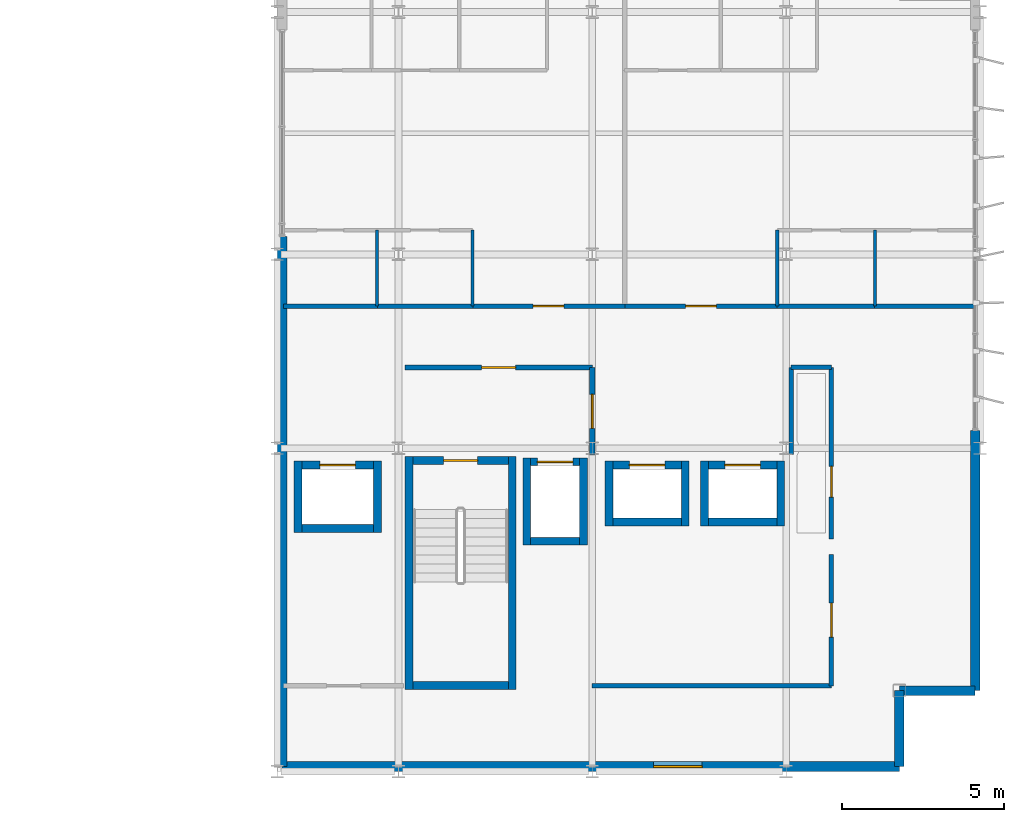
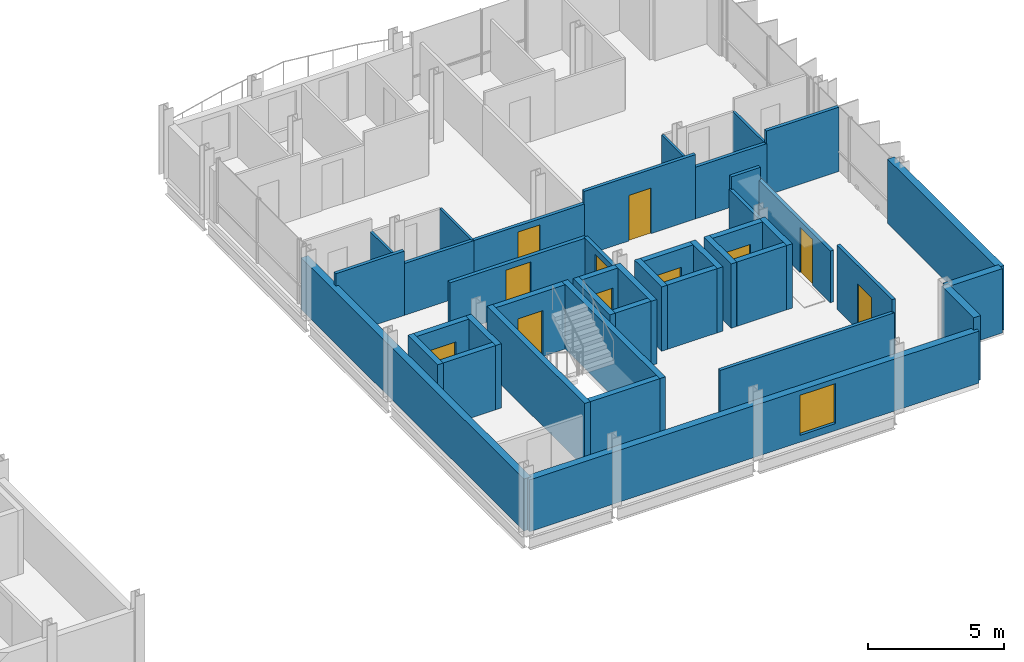
# One storey, part 23 of 28: 42 walls, 11 doors, 1 window, 12 openings.
"""IFC4 building model written with IfcOpenShell, lengths in metres."""

from ifc_helpers import new_model, si_unit, direction, frame, frame_2d, origin, place, context, subcontext, project, spatial, rectangle, extrude, material, layer, layer_set, type_object, element, fill, save


model = new_model("IFC4")

# Units and contexts
model_context = context("Model", 3, precision=1e-05, world=origin(), true_north=direction((0.0, 1.0)))
body_context = subcontext(model_context, "Body", "Model", "MODEL_VIEW")
ifc_project = project(units=[si_unit("LENGTHUNIT", "METRE"), si_unit("AREAUNIT", "SQUARE_METRE"), si_unit("VOLUMEUNIT", "CUBIC_METRE"), si_unit("PLANEANGLEUNIT", "RADIAN"), si_unit("MASSUNIT", "GRAM", prefix="KILO")], contexts=[model_context])

# Site, building, storey
site_placement = place(None, origin())
site = spatial("IfcSite", under=ifc_project, at=site_placement, CompositionType="ELEMENT")
building_placement = place(site_placement, origin())
building = spatial("IfcBuilding", under=site, at=building_placement, Name="Brevholm Reach", CompositionType="ELEMENT")
storey_placement = place(building_placement, frame((0.0, 0.0, 192.5)))
storey = spatial("IfcBuildingStorey", under=building, at=storey_placement, Name="L58", CompositionType="ELEMENT", Elevation=192.5)

# Walls
ifc_material_1 = material(Name="Concrete C45/55", Category="concrete")
ifc_layer_1 = layer(ifc_material_1, 0.239990234375)
ifc_layer_set_1 = layer_set([ifc_layer_1], Name="Concrete C45/55")
wall_type_1 = type_object("IfcWallType", Name="WAL-COR-240", PredefinedType="SHEAR", material=ifc_layer_set_1)
for number, where, z_axis, x_axis, name in (
    (1, (42.330078125, 2.5400390625, 0.0), (0.0, 0.0, 1.0), (0.0, 1.0, 0.0), "L58 Escape Stair ST-2 Core Wall W"),
    (2, (45.52001953125, 2.5400390625, 0.0), (0.0, 0.0, 1.0), (0.0, 1.0, 0.0), "L58 Escape Stair ST-2 Core Wall E"),
):
    element("IfcWall", number, at=place(storey_placement, frame(where, z_axis=z_axis, x_axis=x_axis)), inside=storey, type_object=wall_type_1, Name=name, PredefinedType="SHEAR", context=body_context, shape_type="SweptSolid", body=[
        extrude(rectangle(XDim=7.199951171875, YDim=0.239990234375, at=frame_2d((3.60009765625, 0.0))), origin(), (0.0, 0.0, 1.0), 2.889892578125),
    ])
wall_1_placement = place(storey_placement, frame((42.449951171875, 2.659912109375, 0.0), z_axis=(0.0, 0.0, 1.0), x_axis=(1.0, 0.0, 0.0)))
element("IfcWall", 3, at=wall_1_placement, inside=storey, type_object=wall_type_1, Name="L58 Escape Stair ST-2 Core Wall S", PredefinedType="SHEAR", context=body_context, shape_type="SweptSolid", body=[
    extrude(rectangle(XDim=2.949951171875, YDim=0.239990234375, at=frame_2d((1.47509765625, 0.0))), origin(), (0.0, 0.0, 1.0), 2.889892578125),
])

# Wall, opening, door
wall_2_placement = place(storey_placement, frame((45.39990234375, 9.6201171875, 0.0), z_axis=(0.0, 0.0, 1.0), x_axis=(-1.0, 0.0, 0.0)))
wall_2 = element("IfcWall", 4, at=wall_2_placement, inside=storey, type_object=wall_type_1, Name="L58 Escape Stair ST-2 Core Wall N", PredefinedType="SHEAR", context=body_context, shape_type="SweptSolid", body=[
    extrude(rectangle(XDim=2.949951171875, YDim=0.239990234375, at=frame_2d((1.47509765625, 0.0))), origin(), (0.0, 0.0, 1.0), 2.889892578125),
])
opening_1_placement = place(wall_2_placement, frame((0.949951171875, 0.0, 0.0)))
opening_1 = element("IfcOpeningElement", 5, at=opening_1_placement, cuts=wall_2, Name="Opening SD-ST-2", PredefinedType="OPENING", context=body_context, shape_type="SweptSolid", body=[
    extrude(rectangle(XDim=1.050048828125, YDim=2.06005859375, at=frame_2d((0.52490234375, 1.030029296875))), frame((0.0, 0.1298828125, 0.0), z_axis=(0.0, -1.0, 0.0), x_axis=(1.0, 0.0, 0.0)), (0.0, 0.0, 1.0), 0.260009765625),
])
ifc_material_2 = material(Name="Hardwood-Lipped Steel-Core Fire and Smoke Door", Category="steel")
door_type_1 = type_object("IfcDoorType", Name="DOR-INT-FD60S", OperationType="NOTDEFINED", PredefinedType="DOOR", material=ifc_material_2)
door_1_placement = place(opening_1_placement, origin())
door_1 = element("IfcDoor", 6, at=door_1_placement, inside=storey, type_object=door_type_1, Name="L58 Protected Stair ST-2 Lobby Door", OperationType="SINGLE_SWING_LEFT", OverallHeight=2.06005859375, OverallWidth=1.050048828125, PredefinedType="DOOR", context=body_context, shape_type="SweptSolid", body=[
    extrude(rectangle(XDim=1.050048828125, YDim=2.06005859375, at=frame_2d((0.52490234375, 1.030029296875))), frame((0.0, 0.02490234375, 0.0), z_axis=(0.0, -1.0, 0.0), x_axis=(1.0, 0.0, 0.0)), (0.0, 0.0, 1.0), 0.050048828125),
])
fill(opening_1, door_1)

# Walls
for number, where, z_axis, x_axis, name in (
    (7, (45.969970703125, 7.0, 0.0), (0.0, 0.0, 1.0), (0.0, 1.0, 0.0), "L58 Lift FFL-2 Shaft Wall W"),
    (8, (47.72998046875, 7.0, 0.0), (0.0, 0.0, 1.0), (0.0, 1.0, 0.0), "L58 Lift FFL-2 Shaft Wall E"),
):
    element("IfcWall", number, at=place(storey_placement, frame(where, z_axis=z_axis, x_axis=x_axis)), inside=storey, type_object=wall_type_1, Name=name, PredefinedType="SHEAR", context=body_context, shape_type="SweptSolid", body=[
        extrude(rectangle(XDim=2.699951171875, YDim=0.239990234375, at=frame_2d((1.35009765625, 0.0))), origin(), (0.0, 0.0, 1.0), 2.889892578125),
    ])
wall_3_placement = place(storey_placement, frame((46.090087890625, 7.1201171875, 0.0), z_axis=(0.0, 0.0, 1.0), x_axis=(1.0, 0.0, 0.0)))
element("IfcWall", 9, at=wall_3_placement, inside=storey, type_object=wall_type_1, Name="L58 Lift FFL-2 Shaft Wall S", PredefinedType="SHEAR", context=body_context, shape_type="SweptSolid", body=[
    extrude(rectangle(XDim=1.52001953125, YDim=0.239990234375, at=frame_2d((0.760009765625, 0.0))), origin(), (0.0, 0.0, 1.0), 2.889892578125),
])

# Wall, opening, door
wall_4_placement = place(storey_placement, frame((46.090087890625, 9.580078125, 0.0), z_axis=(0.0, 0.0, 1.0), x_axis=(1.0, 0.0, 0.0)))
wall_4 = element("IfcWall", 10, at=wall_4_placement, inside=storey, type_object=wall_type_1, Name="L58 Lift FFL-2 Shaft Wall N", PredefinedType="SHEAR", context=body_context, shape_type="SweptSolid", body=[
    extrude(rectangle(XDim=1.52001953125, YDim=0.239990234375, at=frame_2d((0.760009765625, 0.0))), origin(), (0.0, 0.0, 1.0), 2.889892578125),
])
opening_2_placement = place(wall_4_placement, frame((0.2099609375, 0.0, 0.0)))
opening_2 = element("IfcOpeningElement", 11, at=opening_2_placement, cuts=wall_4, Name="Opening LD-FFL-2", PredefinedType="OPENING", context=body_context, shape_type="SweptSolid", body=[
    extrude(rectangle(XDim=1.10009765625, YDim=2.06005859375, at=frame_2d((0.550048828125, 1.030029296875))), frame((0.0, 0.1298828125, 0.0), z_axis=(0.0, -1.0, 0.0), x_axis=(1.0, 0.0, 0.0)), (0.0, 0.0, 1.0), 0.260009765625),
])
ifc_material_3 = material(Name="Brushed Stainless Steel Fire-Rated Sliding Lift Door", Category="steel")
door_type_2 = type_object("IfcDoorType", Name="DOR-LFT-1100", OperationType="NOTDEFINED", PredefinedType="DOOR", material=ifc_material_3)
door_2_placement = place(opening_2_placement, origin())
door_2 = element("IfcDoor", 12, at=door_2_placement, inside=storey, type_object=door_type_2, Name="L58 Lift FFL-2 Sliding Landing Door", OperationType="SLIDING_TO_LEFT", OverallHeight=2.06005859375, OverallWidth=1.10009765625, PredefinedType="DOOR", context=body_context, shape_type="SweptSolid", body=[
    extrude(rectangle(XDim=1.10009765625, YDim=2.06005859375, at=frame_2d((0.550048828125, 1.030029296875))), frame((0.0, 0.02490234375, 0.0), z_axis=(0.0, -1.0, 0.0), x_axis=(1.0, 0.0, 0.0)), (0.0, 0.0, 1.0), 0.050048828125),
])
fill(opening_2, door_2)

# Walls
for number, where, z_axis, x_axis, name in (
    (13, (38.889892578125, 7.39990234375, 0.0), (0.0, 0.0, 1.0), (0.0, 1.0, 0.0), "L58 Lift PL-S1 Shaft Wall W"),
    (14, (41.35009765625, 7.39990234375, 0.0), (0.0, 0.0, 1.0), (0.0, 1.0, 0.0), "L58 Lift PL-S1 Shaft Wall E"),
):
    element("IfcWall", number, at=place(storey_placement, frame(where, z_axis=z_axis, x_axis=x_axis)), inside=storey, type_object=wall_type_1, Name=name, PredefinedType="SHEAR", context=body_context, shape_type="SweptSolid", body=[
        extrude(rectangle(XDim=2.2001953125, YDim=0.239990234375, at=frame_2d((1.10009765625, 0.0))), origin(), (0.0, 0.0, 1.0), 2.889892578125),
    ])
wall_5_placement = place(storey_placement, frame((39.010009765625, 7.52001953125, 0.0), z_axis=(0.0, 0.0, 1.0), x_axis=(1.0, 0.0, 0.0)))
element("IfcWall", 15, at=wall_5_placement, inside=storey, type_object=wall_type_1, Name="L58 Lift PL-S1 Shaft Wall S", PredefinedType="SHEAR", context=body_context, shape_type="SweptSolid", body=[
    extrude(rectangle(XDim=2.219970703125, YDim=0.239990234375, at=frame_2d((1.10986328125, 0.0))), origin(), (0.0, 0.0, 1.0), 2.889892578125),
])

# Wall, opening, door
wall_6_placement = place(storey_placement, frame((39.010009765625, 9.47998046875, 0.0), z_axis=(0.0, 0.0, 1.0), x_axis=(1.0, 0.0, 0.0)))
wall_6 = element("IfcWall", 16, at=wall_6_placement, inside=storey, type_object=wall_type_1, Name="L58 Lift PL-S1 Shaft Wall N", PredefinedType="SHEAR", context=body_context, shape_type="SweptSolid", body=[
    extrude(rectangle(XDim=2.219970703125, YDim=0.239990234375, at=frame_2d((1.10986328125, 0.0))), origin(), (0.0, 0.0, 1.0), 2.889892578125),
])
opening_3_placement = place(wall_6_placement, frame((0.56005859375, 0.0, 0.0)))
opening_3 = element("IfcOpeningElement", 17, at=opening_3_placement, cuts=wall_6, Name="Opening LD-PL-S1", PredefinedType="OPENING", context=body_context, shape_type="SweptSolid", body=[
    extrude(rectangle(XDim=1.10009765625, YDim=2.06005859375, at=frame_2d((0.550048828125, 1.030029296875))), frame((0.0, 0.1298828125, 0.0), z_axis=(0.0, -1.0, 0.0), x_axis=(1.0, 0.0, 0.0)), (0.0, 0.0, 1.0), 0.260009765625),
])
door_3_placement = place(opening_3_placement, origin())
door_3 = element("IfcDoor", 18, at=door_3_placement, inside=storey, type_object=door_type_2, Name="L58 Lift PL-S1 Sliding Landing Door", OperationType="SLIDING_TO_RIGHT", OverallHeight=2.06005859375, OverallWidth=1.10009765625, PredefinedType="DOOR", context=body_context, shape_type="SweptSolid", body=[
    extrude(rectangle(XDim=1.10009765625, YDim=2.06005859375, at=frame_2d((0.550048828125, 1.030029296875))), frame((0.0, 0.02490234375, 0.0), z_axis=(0.0, -1.0, 0.0), x_axis=(1.0, 0.0, 0.0)), (0.0, 0.0, 1.0), 0.050048828125),
])
fill(opening_3, door_3)

# Walls
for number, where, z_axis, x_axis, name in (
    (19, (48.52001953125, 7.60009765625, 0.0), (0.0, 0.0, 1.0), (0.0, 1.0, 0.0), "L58 Lift PL-H1 Shaft Wall W"),
    (20, (50.8798828125, 7.60009765625, 0.0), (0.0, 0.0, 1.0), (0.0, 1.0, 0.0), "L58 Lift PL-H1 Shaft Wall E"),
):
    element("IfcWall", number, at=place(storey_placement, frame(where, z_axis=z_axis, x_axis=x_axis)), inside=storey, type_object=wall_type_1, Name=name, PredefinedType="SHEAR", context=body_context, shape_type="SweptSolid", body=[
        extrude(rectangle(XDim=2.0, YDim=0.239990234375, at=frame_2d((1.0, 0.0))), origin(), (0.0, 0.0, 1.0), 2.889892578125),
    ])
wall_7_placement = place(storey_placement, frame((48.639892578125, 7.719970703125, 0.0), z_axis=(0.0, 0.0, 1.0), x_axis=(1.0, 0.0, 0.0)))
element("IfcWall", 21, at=wall_7_placement, inside=storey, type_object=wall_type_1, Name="L58 Lift PL-H1 Shaft Wall S", PredefinedType="SHEAR", context=body_context, shape_type="SweptSolid", body=[
    extrude(rectangle(XDim=2.1201171875, YDim=0.239990234375, at=frame_2d((1.06005859375, 0.0))), origin(), (0.0, 0.0, 1.0), 2.889892578125),
])

# Wall, opening, door
wall_8_placement = place(storey_placement, frame((48.639892578125, 9.47998046875, 0.0), z_axis=(0.0, 0.0, 1.0), x_axis=(1.0, 0.0, 0.0)))
wall_8 = element("IfcWall", 22, at=wall_8_placement, inside=storey, type_object=wall_type_1, Name="L58 Lift PL-H1 Shaft Wall N", PredefinedType="SHEAR", context=body_context, shape_type="SweptSolid", body=[
    extrude(rectangle(XDim=2.1201171875, YDim=0.239990234375, at=frame_2d((1.06005859375, 0.0))), origin(), (0.0, 0.0, 1.0), 2.889892578125),
])
opening_4_placement = place(wall_8_placement, frame((0.510009765625, 0.0, 0.0)))
opening_4 = element("IfcOpeningElement", 23, at=opening_4_placement, cuts=wall_8, Name="Opening LD-PL-H1", PredefinedType="OPENING", context=body_context, shape_type="SweptSolid", body=[
    extrude(rectangle(XDim=1.10009765625, YDim=2.06005859375, at=frame_2d((0.550048828125, 1.030029296875))), frame((0.0, 0.1298828125, 0.0), z_axis=(0.0, -1.0, 0.0), x_axis=(1.0, 0.0, 0.0)), (0.0, 0.0, 1.0), 0.260009765625),
])
door_4_placement = place(opening_4_placement, origin())
door_4 = element("IfcDoor", 24, at=door_4_placement, inside=storey, type_object=door_type_2, Name="L58 Lift PL-H1 Sliding Landing Door", OperationType="SLIDING_TO_LEFT", OverallHeight=2.06005859375, OverallWidth=1.10009765625, PredefinedType="DOOR", context=body_context, shape_type="SweptSolid", body=[
    extrude(rectangle(XDim=1.10009765625, YDim=2.06005859375, at=frame_2d((0.550048828125, 1.030029296875))), frame((0.0, 0.02490234375, 0.0), z_axis=(0.0, -1.0, 0.0), x_axis=(1.0, 0.0, 0.0)), (0.0, 0.0, 1.0), 0.050048828125),
])
fill(opening_4, door_4)

# Walls
for number, where, z_axis, x_axis, name in (
    (25, (51.469970703125, 7.60009765625, 0.0), (0.0, 0.0, 1.0), (0.0, 1.0, 0.0), "L58 Lift PL-H2 Shaft Wall W"),
    (26, (53.830078125, 7.60009765625, 0.0), (0.0, 0.0, 1.0), (0.0, 1.0, 0.0), "L58 Lift PL-H2 Shaft Wall E"),
):
    element("IfcWall", number, at=place(storey_placement, frame(where, z_axis=z_axis, x_axis=x_axis)), inside=storey, type_object=wall_type_1, Name=name, PredefinedType="SHEAR", context=body_context, shape_type="SweptSolid", body=[
        extrude(rectangle(XDim=2.0, YDim=0.239990234375, at=frame_2d((1.0, 0.0))), origin(), (0.0, 0.0, 1.0), 2.889892578125),
    ])
wall_9_placement = place(storey_placement, frame((51.590087890625, 7.719970703125, 0.0), z_axis=(0.0, 0.0, 1.0), x_axis=(1.0, 0.0, 0.0)))
element("IfcWall", 27, at=wall_9_placement, inside=storey, type_object=wall_type_1, Name="L58 Lift PL-H2 Shaft Wall S", PredefinedType="SHEAR", context=body_context, shape_type="SweptSolid", body=[
    extrude(rectangle(XDim=2.119873046875, YDim=0.239990234375, at=frame_2d((1.06005859375, 0.0))), origin(), (0.0, 0.0, 1.0), 2.889892578125),
])

# Wall, opening, door
wall_10_placement = place(storey_placement, frame((51.590087890625, 9.47998046875, 0.0), z_axis=(0.0, 0.0, 1.0), x_axis=(1.0, 0.0, 0.0)))
wall_10 = element("IfcWall", 28, at=wall_10_placement, inside=storey, type_object=wall_type_1, Name="L58 Lift PL-H2 Shaft Wall N", PredefinedType="SHEAR", context=body_context, shape_type="SweptSolid", body=[
    extrude(rectangle(XDim=2.119873046875, YDim=0.239990234375, at=frame_2d((1.06005859375, 0.0))), origin(), (0.0, 0.0, 1.0), 2.889892578125),
])
opening_5_placement = place(wall_10_placement, frame((0.510009765625, 0.0, 0.0)))
opening_5 = element("IfcOpeningElement", 29, at=opening_5_placement, cuts=wall_10, Name="Opening LD-PL-H2", PredefinedType="OPENING", context=body_context, shape_type="SweptSolid", body=[
    extrude(rectangle(XDim=1.10009765625, YDim=2.06005859375, at=frame_2d((0.550048828125, 1.030029296875))), frame((0.0, 0.1298828125, 0.0), z_axis=(0.0, -1.0, 0.0), x_axis=(1.0, 0.0, 0.0)), (0.0, 0.0, 1.0), 0.260009765625),
])
door_5_placement = place(opening_5_placement, origin())
door_5 = element("IfcDoor", 30, at=door_5_placement, inside=storey, type_object=door_type_2, Name="L58 Lift PL-H2 Sliding Landing Door", OperationType="SLIDING_TO_RIGHT", OverallHeight=2.06005859375, OverallWidth=1.10009765625, PredefinedType="DOOR", context=body_context, shape_type="SweptSolid", body=[
    extrude(rectangle(XDim=1.10009765625, YDim=2.06005859375, at=frame_2d((0.550048828125, 1.030029296875))), frame((0.0, 0.02490234375, 0.0), z_axis=(0.0, -1.0, 0.0), x_axis=(1.0, 0.0, 0.0)), (0.0, 0.0, 1.0), 0.050048828125),
])
fill(opening_5, door_5)

# Walls
ifc_material_4 = material(Name="Concrete C40/50", Category="concrete")
ifc_layer_2 = layer(ifc_material_4, 0.300048828125)
ifc_layer_set_2 = layer_set([ifc_layer_2], Name="Concrete C40/50")
wall_type_2 = type_object("IfcWallType", Name="WAL-EXT-300", PredefinedType="STANDARD", material=ifc_layer_set_2)
for number, where, z_axis, x_axis, name in (
    (31, (57.5, 0.14990234375, 0.0), (0.0, 0.0, 1.0), (0.0, 1.0, 0.0), "L58 Facade Wall WAL-L58-EW-CSE1"),
    (32, (57.5, 2.5, 0.0), (0.0, 0.0, 1.0), (1.0, 0.0, 0.0), "L58 Facade Wall WAL-L58-EW-CSE2"),
):
    element("IfcWall", number, at=place(storey_placement, frame(where, z_axis=z_axis, x_axis=x_axis)), inside=storey, type_object=wall_type_2, Name=name, PredefinedType="STANDARD", context=body_context, shape_type="SweptSolid", body=[
        extrude(rectangle(XDim=2.35009765625, YDim=0.300048828125, at=frame_2d((1.175048828125, 0.0))), origin(), (0.0, 0.0, 1.0), 2.889892578125),
    ])
wall_11_placement = place(storey_placement, frame((38.39990234375, 16.550048828125, 0.0), z_axis=(0.0, 0.0, 1.0), x_axis=(0.0, -1.0, 0.0)))
element("IfcWall", 33, at=wall_11_placement, inside=storey, type_object=wall_type_2, Name="L58 Facade Wall WAL-L58-VP-ES", PredefinedType="STANDARD", context=body_context, shape_type="SweptSolid", body=[
    extrude(rectangle(XDim=16.400146484375, YDim=0.300048828125, at=frame_2d((8.2001953125, 0.0))), origin(), (0.0, 0.0, 1.0), 2.331787109375),
])

# Wall, opening, window
wall_12_placement = place(storey_placement, frame((38.39990234375, 0.14990234375, 0.0), z_axis=(0.0, 0.0, 1.0), x_axis=(1.0, 0.0, 0.0)))
wall_12 = element("IfcWall", 34, at=wall_12_placement, inside=storey, type_object=wall_type_2, Name="L58 Facade Wall WAL-L58-EW-S", PredefinedType="STANDARD", context=body_context, shape_type="SweptSolid", body=[
    extrude(rectangle(XDim=19.10009765625, YDim=0.300048828125, at=frame_2d((9.550048828125, 0.0))), origin(), (0.0, 0.0, 1.0), 2.331787109375),
])
opening_6_placement = place(wall_12_placement, frame((11.5, 0.0, 0.31201171875)))
opening_6 = element("IfcOpeningElement", 35, at=opening_6_placement, cuts=wall_12, Name="Opening WN-05", PredefinedType="OPENING", context=body_context, shape_type="SweptSolid", body=[
    extrude(rectangle(XDim=1.5, YDim=1.800048828125, at=frame_2d((0.75, 0.89990234375))), frame((0.0, 0.159912109375, 0.0), z_axis=(0.0, -1.0, 0.0), x_axis=(1.0, 0.0, 0.0)), (0.0, 0.0, 1.0), 0.320068359375),
])
ifc_material_5 = material(Name="Dark Anodised Aluminium and Solar-Control IGU Glass", Category="aluminium")
window_type = type_object("IfcWindowType", Name="WIN-RES-1500", PartitioningType="SINGLE_PANEL", PredefinedType="WINDOW", material=ifc_material_5)
window_placement = place(opening_6_placement, origin())
window = element("IfcWindow", 36, at=window_placement, inside=storey, type_object=window_type, Name="L58 Window WIN-L58-EWS-1", OverallHeight=1.800048828125, OverallWidth=1.5, PartitioningType="SINGLE_PANEL", PredefinedType="WINDOW", context=body_context, shape_type="SweptSolid", body=[
    extrude(rectangle(XDim=1.5, YDim=1.800048828125, at=frame_2d((0.75, 0.89990234375))), frame((0.0, 0.030029296875, 0.0), z_axis=(0.0, -1.0, 0.0), x_axis=(1.0, 0.0, 0.0)), (0.0, 0.0, 1.0), 0.06005859375),
])
fill(opening_6, window)

# Walls
wall_13_placement = place(storey_placement, frame((59.85009765625, 2.5, 0.0), z_axis=(0.0, 0.0, 1.0), x_axis=(0.0, 1.0, 0.0)))
element("IfcWall", 37, at=wall_13_placement, inside=storey, type_object=wall_type_2, Name="L58 Facade Wall WAL-L58-EW-ES", PredefinedType="STANDARD", context=body_context, shape_type="SweptSolid", body=[
    extrude(rectangle(XDim=8.050048828125, YDim=0.300048828125, at=frame_2d((4.02490234375, 0.0))), origin(), (0.0, 0.0, 1.0), 2.889892578125),
])
ifc_material_6 = material(Name="Moisture-Resistant Acoustic Gypsum Stud Partition 100 mm", Category="gypsum")
ifc_layer_3 = layer(ifc_material_6, 0.10009765625)
ifc_layer_set_3 = layer_set([ifc_layer_3], Name="Moisture-Resistant Acoustic Gypsum Stud Partition 100 mm")
wall_type_3 = type_object("IfcWallType", Name="WAL-PRT-100", PredefinedType="PARTITIONING", material=ifc_layer_set_3)
for number, where, z_axis, x_axis, name in (
    (38, (41.337890625, 14.404052734375, 0.0), (0.0, 0.0, 1.0), (0.0, 1.0, 0.0), "L58 Internal Partition 066"),
    (39, (44.2919921875, 14.404052734375, 0.0), (0.0, 0.0, 1.0), (0.0, 1.0, 0.0), "L58 Internal Partition 068"),
    (40, (56.75, 14.404052734375, 0.0), (0.0, 0.0, 1.0), (0.0, 1.0, 0.0), "L58 Internal Partition 078"),
    (41, (53.72607421875, 14.404052734375, 0.0), (0.0, 0.0, 1.0), (0.0, 1.0, 0.0), "L58 Internal Partition 081"),
):
    element("IfcWall", number, at=place(storey_placement, frame(where, z_axis=z_axis, x_axis=x_axis)), inside=storey, type_object=wall_type_3, Name=name, PredefinedType="PARTITIONING", context=body_context, shape_type="SweptSolid", body=[
        extrude(rectangle(XDim=2.345947265625, YDim=0.10009765625, at=frame_2d((1.1728515625, 0.0))), origin(), (0.0, 0.0, 1.0), 2.325439453125),
    ])

# Wall, opening, door
ifc_material_7 = material(Name="Twin-Stud Acoustic Fire-Rated Gypsum Partition 140 mm", Category="gypsum")
ifc_layer_4 = layer(ifc_material_7, 0.139892578125)
ifc_layer_set_4 = layer_set([ifc_layer_4], Name="Twin-Stud Acoustic Fire-Rated Gypsum Partition 140 mm")
wall_type_4 = type_object("IfcWallType", Name="WAL-PRT-140", PredefinedType="PARTITIONING", material=ifc_layer_set_4)
wall_14_placement = place(storey_placement, frame((55.39990234375, 2.64990234375, 0.0), z_axis=(0.0, 0.0, 1.0), x_axis=(0.0, 1.0, 0.0)))
wall_14 = element("IfcWall", 42, at=wall_14_placement, inside=storey, type_object=wall_type_4, Name="L58 Internal Partition 005", PredefinedType="PARTITIONING", context=body_context, shape_type="SweptSolid", body=[
    extrude(rectangle(XDim=4.061279296875, YDim=0.139892578125, at=frame_2d((2.03076171875, 0.0))), origin(), (0.0, 0.0, 1.0), 2.889892578125),
])
opening_7_placement = place(wall_14_placement, frame((1.505615234375, 0.0, 0.0)))
opening_7 = element("IfcOpeningElement", 43, at=opening_7_placement, cuts=wall_14, Name="Opening FD-01", PredefinedType="OPENING", context=body_context, shape_type="SweptSolid", body=[
    extrude(rectangle(XDim=1.050048828125, YDim=2.06005859375, at=frame_2d((0.52490234375, 1.030029296875))), frame((0.0, 0.079833984375, 0.0), z_axis=(0.0, -1.0, 0.0), x_axis=(1.0, 0.0, 0.0)), (0.0, 0.0, 1.0), 0.159912109375),
])
door_6_placement = place(opening_7_placement, origin())
door_6 = element("IfcDoor", 44, at=door_6_placement, inside=storey, type_object=door_type_1, Name="L58 Internal Door 003", OperationType="SINGLE_SWING_RIGHT", OverallHeight=2.06005859375, OverallWidth=1.050048828125, PredefinedType="DOOR", context=body_context, shape_type="SweptSolid", body=[
    extrude(rectangle(XDim=1.050048828125, YDim=2.06005859375, at=frame_2d((0.52490234375, 1.030029296875))), frame((0.0, 0.02490234375, 0.0), z_axis=(0.0, -1.0, 0.0), x_axis=(1.0, 0.0, 0.0)), (0.0, 0.0, 1.0), 0.050048828125),
])
fill(opening_7, door_6)

wall_15_placement = place(storey_placement, frame((55.39990234375, 7.188720703125, 0.0), z_axis=(0.0, 0.0, 1.0), x_axis=(0.0, 1.0, 0.0)))
wall_15 = element("IfcWall", 45, at=wall_15_placement, inside=storey, type_object=wall_type_4, Name="L58 Internal Partition 006", PredefinedType="PARTITIONING", context=body_context, shape_type="SweptSolid", body=[
    extrude(rectangle(XDim=5.311279296875, YDim=0.139892578125, at=frame_2d((2.65576171875, 0.0))), origin(), (0.0, 0.0, 1.0), 2.325439453125),
])
opening_8_placement = place(wall_15_placement, frame((1.30078125, 0.0, 0.0)))
opening_8 = element("IfcOpeningElement", 46, at=opening_8_placement, cuts=wall_15, Name="Opening ID-30", PredefinedType="OPENING", context=body_context, shape_type="SweptSolid", body=[
    extrude(rectangle(XDim=0.949951171875, YDim=2.050048828125, at=frame_2d((0.47509765625, 1.02490234375))), frame((0.0, 0.079833984375, 0.0), z_axis=(0.0, -1.0, 0.0), x_axis=(1.0, 0.0, 0.0)), (0.0, 0.0, 1.0), 0.159912109375),
])
ifc_material_8 = material(Name="European Oak Veneered Solid-Core Fire Entrance Door", Category="timber")
door_type_3 = type_object("IfcDoorType", Name="DOR-FLT-FD30S", OperationType="NOTDEFINED", PredefinedType="DOOR", material=ifc_material_8)
door_7_placement = place(opening_8_placement, origin())
door_7 = element("IfcDoor", 47, at=door_7_placement, inside=storey, type_object=door_type_3, Name="L58 Internal Door 004", OperationType="SINGLE_SWING_LEFT", OverallHeight=2.050048828125, OverallWidth=0.949951171875, PredefinedType="DOOR", context=body_context, shape_type="SweptSolid", body=[
    extrude(rectangle(XDim=0.949951171875, YDim=2.050048828125, at=frame_2d((0.47509765625, 1.02490234375))), frame((0.0, 0.02490234375, 0.0), z_axis=(0.0, -1.0, 0.0), x_axis=(1.0, 0.0, 0.0)), (0.0, 0.0, 1.0), 0.050048828125),
])
fill(opening_8, door_7)

# Walls
wall_16_placement = place(storey_placement, frame((47.98876953125, 2.64990234375, 0.0), z_axis=(0.0, 0.0, 1.0), x_axis=(1.0, 0.0, 0.0)))
element("IfcWall", 48, at=wall_16_placement, inside=storey, type_object=wall_type_4, Name="L58 Internal Partition 008", PredefinedType="PARTITIONING", context=body_context, shape_type="SweptSolid", body=[
    extrude(rectangle(XDim=7.4072265625, YDim=0.139892578125, at=frame_2d((3.70361328125, 0.0))), origin(), (0.0, 0.0, 1.0), 2.325439453125),
])
wall_17_placement = place(storey_placement, frame((54.14990234375, 9.800048828125, 0.0), z_axis=(0.0, 0.0, 1.0), x_axis=(0.0, 1.0, 0.0)))
element("IfcWall", 49, at=wall_17_placement, inside=storey, type_object=wall_type_4, Name="L58 Internal Partition 028", PredefinedType="PARTITIONING", context=body_context, shape_type="SweptSolid", body=[
    extrude(rectangle(XDim=2.699951171875, YDim=0.139892578125, at=frame_2d((1.35009765625, 0.0))), origin(), (0.0, 0.0, 1.0), 2.325439453125),
])
wall_18_placement = place(storey_placement, frame((54.154052734375, 12.5, 0.0), z_axis=(0.0, 0.0, 1.0), x_axis=(1.0, 0.0, 0.0)))
element("IfcWall", 50, at=wall_18_placement, inside=storey, type_object=wall_type_4, Name="L58 Internal Partition 029", PredefinedType="PARTITIONING", context=body_context, shape_type="SweptSolid", body=[
    extrude(rectangle(XDim=1.241943359375, YDim=0.139892578125, at=frame_2d((0.62109375, 0.0))), origin(), (0.0, 0.0, 1.0), 2.889892578125),
])
wall_19_placement = place(storey_placement, frame((38.449951171875, 14.39990234375, 0.0), z_axis=(0.0, 0.0, 1.0), x_axis=(1.0, 0.0, 0.0)))
element("IfcWall", 51, at=wall_19_placement, inside=storey, type_object=wall_type_4, Name="L58 Internal Partition 030", PredefinedType="PARTITIONING", context=body_context, shape_type="SweptSolid", body=[
    extrude(rectangle(XDim=2.8994140625, YDim=0.139892578125, at=frame_2d((1.44970703125, 0.0))), origin(), (0.0, 0.0, 1.0), 2.889892578125),
])
wall_20_placement = place(storey_placement, frame((41.330810546875, 14.39990234375, 0.0), z_axis=(0.0, 0.0, 1.0), x_axis=(1.0, 0.0, 0.0)))
element("IfcWall", 52, at=wall_20_placement, inside=storey, type_object=wall_type_4, Name="L58 Internal Partition 031", PredefinedType="PARTITIONING", context=body_context, shape_type="SweptSolid", body=[
    extrude(rectangle(XDim=2.972412109375, YDim=0.139892578125, at=frame_2d((1.486328125, 0.0))), origin(), (0.0, 0.0, 1.0), 2.325439453125),
])

# Wall, opening, door
wall_21_placement = place(storey_placement, frame((44.28466796875, 14.39990234375, 0.0), z_axis=(0.0, 0.0, 1.0), x_axis=(1.0, 0.0, 0.0)))
wall_21 = element("IfcWall", 53, at=wall_21_placement, inside=storey, type_object=wall_type_4, Name="L58 Internal Partition 032", PredefinedType="PARTITIONING", context=body_context, shape_type="SweptSolid", body=[
    extrude(rectangle(XDim=4.7265625, YDim=0.139892578125, at=frame_2d((2.36328125, 0.0))), origin(), (0.0, 0.0, 1.0), 2.325439453125),
])
opening_9_placement = place(wall_21_placement, frame((1.88818359375, 0.0, 0.0)))
opening_9 = element("IfcOpeningElement", 54, at=opening_9_placement, cuts=wall_21, Name="Opening ID-30", PredefinedType="OPENING", context=body_context, shape_type="SweptSolid", body=[
    extrude(rectangle(XDim=0.949951171875, YDim=2.050048828125, at=frame_2d((0.47509765625, 1.02490234375))), frame((0.0, 0.079833984375, 0.0), z_axis=(0.0, -1.0, 0.0), x_axis=(1.0, 0.0, 0.0)), (0.0, 0.0, 1.0), 0.159912109375),
])
door_8_placement = place(opening_9_placement, origin())
door_8 = element("IfcDoor", 55, at=door_8_placement, inside=storey, type_object=door_type_3, Name="L58 Internal Door 012", OperationType="SINGLE_SWING_LEFT", OverallHeight=2.050048828125, OverallWidth=0.949951171875, PredefinedType="DOOR", context=body_context, shape_type="SweptSolid", body=[
    extrude(rectangle(XDim=0.949951171875, YDim=2.050048828125, at=frame_2d((0.47509765625, 1.02490234375))), frame((0.0, 0.02490234375, 0.0), z_axis=(0.0, -1.0, 0.0), x_axis=(1.0, 0.0, 0.0)), (0.0, 0.0, 1.0), 0.050048828125),
])
fill(opening_9, door_8)

# Walls
wall_22_placement = place(storey_placement, frame((56.73876953125, 14.39990234375, 0.0), z_axis=(0.0, 0.0, 1.0), x_axis=(1.0, 0.0, 0.0)))
element("IfcWall", 56, at=wall_22_placement, inside=storey, type_object=wall_type_4, Name="L58 Internal Partition 033", PredefinedType="PARTITIONING", context=body_context, shape_type="SweptSolid", body=[
    extrude(rectangle(XDim=3.072509765625, YDim=0.139892578125, at=frame_2d((1.5361328125, 0.0))), origin(), (0.0, 0.0, 1.0), 2.889892578125),
])
wall_23_placement = place(storey_placement, frame((53.714599609375, 14.39990234375, 0.0), z_axis=(0.0, 0.0, 1.0), x_axis=(1.0, 0.0, 0.0)))
element("IfcWall", 57, at=wall_23_placement, inside=storey, type_object=wall_type_4, Name="L58 Internal Partition 034", PredefinedType="PARTITIONING", context=body_context, shape_type="SweptSolid", body=[
    extrude(rectangle(XDim=3.042724609375, YDim=0.139892578125, at=frame_2d((1.521484375, 0.0))), origin(), (0.0, 0.0, 1.0), 2.325439453125),
])

# Wall, opening, door
wall_24_placement = place(storey_placement, frame((48.99267578125, 14.39990234375, 0.0), z_axis=(0.0, 0.0, 1.0), x_axis=(1.0, 0.0, 0.0)))
wall_24 = element("IfcWall", 58, at=wall_24_placement, inside=storey, type_object=wall_type_4, Name="L58 Internal Partition 035", PredefinedType="PARTITIONING", context=body_context, shape_type="SweptSolid", body=[
    extrude(rectangle(XDim=4.74072265625, YDim=0.139892578125, at=frame_2d((2.370361328125, 0.0))), origin(), (0.0, 0.0, 1.0), 2.889892578125),
])
opening_10_placement = place(wall_24_placement, frame((1.895263671875, 0.0, 0.0)))
opening_10 = element("IfcOpeningElement", 59, at=opening_10_placement, cuts=wall_24, Name="Opening ID-30", PredefinedType="OPENING", context=body_context, shape_type="SweptSolid", body=[
    extrude(rectangle(XDim=0.949951171875, YDim=2.050048828125, at=frame_2d((0.47509765625, 1.02490234375))), frame((0.0, 0.079833984375, 0.0), z_axis=(0.0, -1.0, 0.0), x_axis=(1.0, 0.0, 0.0)), (0.0, 0.0, 1.0), 0.159912109375),
])
door_9_placement = place(opening_10_placement, origin())
door_9 = element("IfcDoor", 60, at=door_9_placement, inside=storey, type_object=door_type_3, Name="L58 Internal Door 013", OperationType="SINGLE_SWING_RIGHT", OverallHeight=2.050048828125, OverallWidth=0.949951171875, PredefinedType="DOOR", context=body_context, shape_type="SweptSolid", body=[
    extrude(rectangle(XDim=0.949951171875, YDim=2.050048828125, at=frame_2d((0.47509765625, 1.02490234375))), frame((0.0, 0.02490234375, 0.0), z_axis=(0.0, -1.0, 0.0), x_axis=(1.0, 0.0, 0.0)), (0.0, 0.0, 1.0), 0.050048828125),
])
fill(opening_10, door_9)

ifc_material_9 = material(Name="Twin-Frame Fire-Rated Gypsum Board and Mineral Wool 160 mm", Category="gypsum")
ifc_layer_5 = layer(ifc_material_9, 0.159912109375)
ifc_layer_set_5 = layer_set([ifc_layer_5], Name="Twin-Frame Fire-Rated Gypsum Board and Mineral Wool 160 mm")
wall_type_5 = type_object("IfcWallType", Name="WAL-PRT-160", PredefinedType="PARTITIONING", material=ifc_layer_set_5)
wall_25_placement = place(storey_placement, frame((48.0, 9.788818359375, 0.0), z_axis=(0.0, 0.0, 1.0), x_axis=(0.0, 1.0, 0.0)))
wall_25 = element("IfcWall", 61, at=wall_25_placement, inside=storey, type_object=wall_type_5, Name="L58 Internal Partition 026", PredefinedType="PARTITIONING", context=body_context, shape_type="SweptSolid", body=[
    extrude(rectangle(XDim=2.711181640625, YDim=0.159912109375, at=frame_2d((1.35546875, 0.0))), origin(), (0.0, 0.0, 1.0), 2.325439453125),
])
opening_11_placement = place(wall_25_placement, frame((0.83056640625, 0.0, 0.0)))
opening_11 = element("IfcOpeningElement", 62, at=opening_11_placement, cuts=wall_25, Name="Opening FD-01", PredefinedType="OPENING", context=body_context, shape_type="SweptSolid", body=[
    extrude(rectangle(XDim=1.050048828125, YDim=2.06005859375, at=frame_2d((0.52490234375, 1.030029296875))), frame((0.0, 0.08984375, 0.0), z_axis=(0.0, -1.0, 0.0), x_axis=(1.0, 0.0, 0.0)), (0.0, 0.0, 1.0), 0.179931640625),
])
door_10_placement = place(opening_11_placement, origin())
door_10 = element("IfcDoor", 63, at=door_10_placement, inside=storey, type_object=door_type_1, Name="L58 Internal Door 010", OperationType="SINGLE_SWING_LEFT", OverallHeight=2.06005859375, OverallWidth=1.050048828125, PredefinedType="DOOR", context=body_context, shape_type="SweptSolid", body=[
    extrude(rectangle(XDim=1.050048828125, YDim=2.06005859375, at=frame_2d((0.52490234375, 1.030029296875))), frame((0.0, 0.02490234375, 0.0), z_axis=(0.0, -1.0, 0.0), x_axis=(1.0, 0.0, 0.0)), (0.0, 0.0, 1.0), 0.050048828125),
])
fill(opening_11, door_10)

wall_26_placement = place(storey_placement, frame((42.199951171875, 12.5, 0.0), z_axis=(0.0, 0.0, 1.0), x_axis=(1.0, 0.0, 0.0)))
wall_26 = element("IfcWall", 64, at=wall_26_placement, inside=storey, type_object=wall_type_5, Name="L58 Internal Partition 027", PredefinedType="PARTITIONING", context=body_context, shape_type="SweptSolid", body=[
    extrude(rectangle(XDim=5.800048828125, YDim=0.159912109375, at=frame_2d((2.89990234375, 0.0))), origin(), (0.0, 0.0, 1.0), 2.325439453125),
])
opening_12_placement = place(wall_26_placement, frame((2.375, 0.0, 0.0)))
opening_12 = element("IfcOpeningElement", 65, at=opening_12_placement, cuts=wall_26, Name="Opening FD-01", PredefinedType="OPENING", context=body_context, shape_type="SweptSolid", body=[
    extrude(rectangle(XDim=1.050048828125, YDim=2.06005859375, at=frame_2d((0.52490234375, 1.030029296875))), frame((0.0, 0.08984375, 0.0), z_axis=(0.0, -1.0, 0.0), x_axis=(1.0, 0.0, 0.0)), (0.0, 0.0, 1.0), 0.179931640625),
])
door_11_placement = place(opening_12_placement, origin())
door_11 = element("IfcDoor", 66, at=door_11_placement, inside=storey, type_object=door_type_1, Name="L58 Internal Door 011", OperationType="SINGLE_SWING_RIGHT", OverallHeight=2.06005859375, OverallWidth=1.050048828125, PredefinedType="DOOR", context=body_context, shape_type="SweptSolid", body=[
    extrude(rectangle(XDim=1.050048828125, YDim=2.06005859375, at=frame_2d((0.52490234375, 1.030029296875))), frame((0.0, 0.02490234375, 0.0), z_axis=(0.0, -1.0, 0.0), x_axis=(1.0, 0.0, 0.0)), (0.0, 0.0, 1.0), 0.050048828125),
])
fill(opening_12, door_11)

save(model, "model.ifc")
